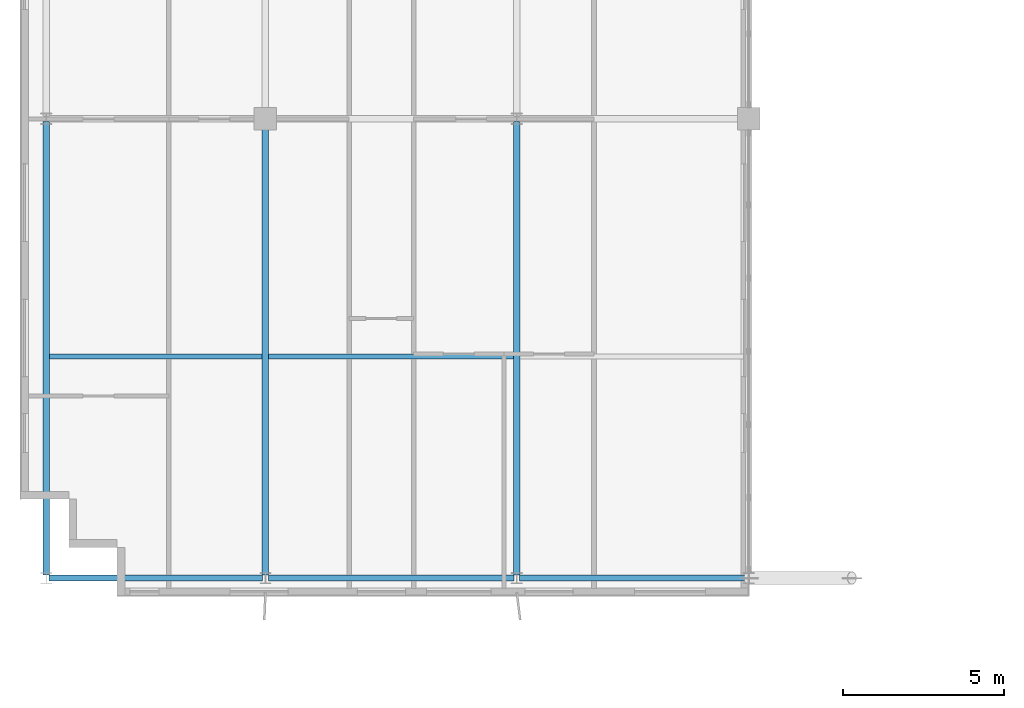
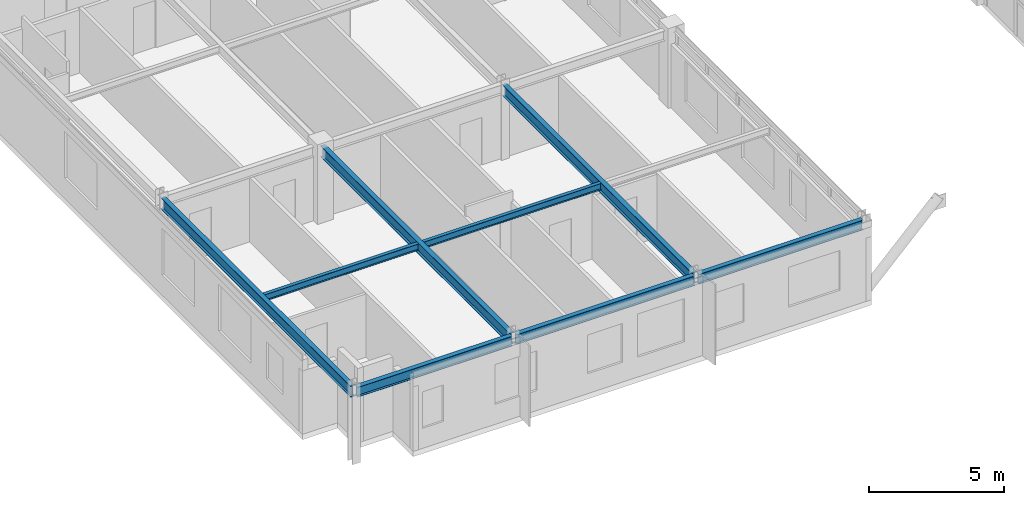
# One storey, part 5 of 34: 8 beams.
"""IFC4 building model written with IfcOpenShell, lengths in metres."""

from ifc_helpers import new_model, si_unit, direction, frame, origin, origin_2d, place, context, subcontext, project, spatial, i_section, extrude, source, transform, mapped, material, material_profile, profile_set, type_object, element, save


model = new_model("IFC4")

# Units and contexts
model_context = context("Model", 3, precision=1e-05, world=origin(), true_north=direction((0.0, 1.0)))
body_context = subcontext(model_context, "Body", "Model", "MODEL_VIEW")
ifc_project = project(units=[si_unit("LENGTHUNIT", "METRE"), si_unit("AREAUNIT", "SQUARE_METRE"), si_unit("VOLUMEUNIT", "CUBIC_METRE"), si_unit("PLANEANGLEUNIT", "RADIAN"), si_unit("MASSUNIT", "GRAM", prefix="KILO")], contexts=[model_context])

# Site, building, storey
site_placement = place(None, origin())
site = spatial("IfcSite", under=ifc_project, at=site_placement, CompositionType="ELEMENT")
building_placement = place(site_placement, origin())
building = spatial("IfcBuilding", under=site, at=building_placement, Name="Trelvane Seafront Commons", CompositionType="ELEMENT")
storey_placement = place(building_placement, frame((0.0, 0.0, 197.699951171875)))
storey = spatial("IfcBuildingStorey", under=building, at=storey_placement, Name="L51", CompositionType="ELEMENT", Elevation=197.699951171875)

# Beams
ifc_material = material(Name="Steel SM355 (S355)", Category="steel")
ifc_material_profile_1 = material_profile(ifc_material, i_section(OverallWidth=0.199951171875, OverallDepth=0.449951171875, WebThickness=0.009033203125, FlangeThickness=0.013916015625, at=origin_2d()), Name="H-450x200x9x14")
ifc_profile_set_1 = profile_set([ifc_material_profile_1], Name="Steel SM355 (S355)")
beam_type_1 = type_object("IfcBeamType", Name="STR-SPD-H450", PredefinedType="SPANDREL", material=ifc_profile_set_1)
shared_shape_1 = source(origin(), body_context, "Body", "SweptSolid", [
    extrude(i_section(OverallWidth=0.199951171875, OverallDepth=0.449951171875, WebThickness=0.009033203125, FlangeThickness=0.013916015625, at=origin_2d()), origin(), (0.0, 0.0, 1.0), 6.625),
])
beam_1_placement = place(storey_placement, frame((8.887451171875, 3.949951171875, 3.135009765625), z_axis=(1.0, 0.0, 0.0), x_axis=(0.0, 1.0, 0.0)))
element("IfcBeam", 1, at=beam_1_placement, inside=storey, type_object=beam_type_1, Name="L51 Primary Girder G-01", PredefinedType="SPANDREL", context=body_context, shape_type="MappedRepresentation", body=[
    mapped(shared_shape_1, transform((0.0, 0.0, 0.0), x_axis=(1.0, 0.0, 0.0), y_axis=(0.0, 1.0, 0.0), z_axis=(0.0, 0.0, 1.0), scale=1.0)),
])
shared_shape_2 = source(origin(), body_context, "Body", "SweptSolid", [
    extrude(i_section(OverallWidth=0.199951171875, OverallDepth=0.449951171875, WebThickness=0.009033203125, FlangeThickness=0.013916015625, at=origin_2d()), origin(), (0.0, 0.0, 1.0), 7.625),
])
beam_2_placement = place(storey_placement, frame((15.6875, 3.949951171875, 3.135009765625), z_axis=(1.0, 0.0, 0.0), x_axis=(0.0, 1.0, 0.0)))
element("IfcBeam", 2, at=beam_2_placement, inside=storey, type_object=beam_type_1, Name="L51 Primary Girder G-02", PredefinedType="SPANDREL", context=body_context, shape_type="MappedRepresentation", body=[
    mapped(shared_shape_2, transform((0.0, 0.0, 0.0), x_axis=(1.0, 0.0, 0.0), y_axis=(0.0, 1.0, 0.0), z_axis=(0.0, 0.0, 1.0), scale=1.0)),
])
shared_shape_3 = source(origin(), body_context, "Body", "SweptSolid", [
    extrude(i_section(OverallWidth=0.199951171875, OverallDepth=0.449951171875, WebThickness=0.009033203125, FlangeThickness=0.013916015625, at=origin_2d()), origin(), (0.0, 0.0, 1.0), 7.02490234375),
])
beam_3_placement = place(storey_placement, frame((23.487548828125, 3.949951171875, 3.135009765625), z_axis=(1.0, 0.0, 0.0), x_axis=(0.0, 1.0, 0.0)))
element("IfcBeam", 3, at=beam_3_placement, inside=storey, type_object=beam_type_1, Name="L51 Primary Girder G-03", PredefinedType="SPANDREL", context=body_context, shape_type="MappedRepresentation", body=[
    mapped(shared_shape_3, transform((0.0, 0.0, 0.0), x_axis=(1.0, 0.0, 0.0), y_axis=(0.0, 1.0, 0.0), z_axis=(0.0, 0.0, 1.0), scale=1.0)),
])
ifc_material_profile_2 = material_profile(ifc_material, i_section(OverallWidth=0.199951171875, OverallDepth=0.5, WebThickness=0.010009765625, FlangeThickness=0.01611328125, at=origin_2d()), Name="H-500x200x10x16")
ifc_profile_set_2 = profile_set([ifc_material_profile_2], Name="Steel SM355 (S355)")
beam_type_2 = type_object("IfcBeamType", Name="STR-BM-H500", PredefinedType="BEAM", material=ifc_profile_set_2)
shared_shape_4 = source(origin(), body_context, "Body", "SweptSolid", [
    extrude(i_section(OverallWidth=0.199951171875, OverallDepth=0.5, WebThickness=0.010009765625, FlangeThickness=0.01611328125, at=origin_2d()), origin(), (0.0, 0.0, 1.0), 14.074951171875),
])
for number, where, z_axis, x_axis, name in (
    (4, (8.800048828125, 4.03759765625, 3.110107421875), (0.0, 1.0, 0.0), (-1.0, 0.0, 0.0), "L51 Primary Girder G-29"),
    (5, (23.39990234375, 4.03759765625, 3.110107421875), (0.0, 1.0, 0.0), (-1.0, 0.0, 0.0), "L51 Primary Girder G-35"),
):
    element("IfcBeam", number, at=place(storey_placement, frame(where, z_axis=z_axis, x_axis=x_axis)), inside=storey, type_object=beam_type_2, Name=name, PredefinedType="BEAM", context=body_context, shape_type="MappedRepresentation", body=[
        mapped(shared_shape_4, transform((0.0, 0.0, 0.0), x_axis=(1.0, 0.0, 0.0), y_axis=(0.0, 1.0, 0.0), z_axis=(0.0, 0.0, 1.0), scale=1.0)),
    ])
shared_shape_5 = source(origin(), body_context, "Body", "SweptSolid", [
    extrude(i_section(OverallWidth=0.199951171875, OverallDepth=0.5, WebThickness=0.010009765625, FlangeThickness=0.01611328125, at=origin_2d()), origin(), (0.0, 0.0, 1.0), 14.012451171875),
])
beam_4_placement = place(storey_placement, frame((15.60009765625, 4.03759765625, 3.110107421875), z_axis=(0.0, 1.0, 0.0), x_axis=(-1.0, 0.0, 0.0)))
element("IfcBeam", 6, at=beam_4_placement, inside=storey, type_object=beam_type_2, Name="L51 Primary Girder G-32", PredefinedType="BEAM", context=body_context, shape_type="MappedRepresentation", body=[
    mapped(shared_shape_5, transform((0.0, 0.0, 0.0), x_axis=(1.0, 0.0, 0.0), y_axis=(0.0, 1.0, 0.0), z_axis=(0.0, 0.0, 1.0), scale=1.0)),
])
ifc_material_profile_3 = material_profile(ifc_material, i_section(OverallWidth=0.14990234375, OverallDepth=0.300048828125, WebThickness=0.006591796875, FlangeThickness=0.009033203125, at=origin_2d()), Name="H-300x150x6.5x9")
ifc_profile_set_3 = profile_set([ifc_material_profile_3], Name="Steel SM355 (S355)")
beam_type_3 = type_object("IfcBeamType", Name="STR-JST-H300", PredefinedType="JOIST", material=ifc_profile_set_3)
shared_shape_6 = source(origin(), body_context, "Body", "SweptSolid", [
    extrude(i_section(OverallWidth=0.14990234375, OverallDepth=0.300048828125, WebThickness=0.006591796875, FlangeThickness=0.009033203125, at=origin_2d()), origin(), (0.0, 0.0, 1.0), 6.60009765625),
])
beam_5_placement = place(storey_placement, frame((8.89990234375, 10.824951171875, 3.2099609375), z_axis=(1.0, 0.0, 0.0), x_axis=(0.0, 1.0, 0.0)))
element("IfcBeam", 7, at=beam_5_placement, inside=storey, type_object=beam_type_3, Name="L51 Secondary Floor Joist B-53", PredefinedType="JOIST", context=body_context, shape_type="MappedRepresentation", body=[
    mapped(shared_shape_6, transform((0.0, 0.0, 0.0), x_axis=(1.0, 0.0, 0.0), y_axis=(0.0, 1.0, 0.0), z_axis=(0.0, 0.0, 1.0), scale=1.0)),
])
shared_shape_7 = source(origin(), body_context, "Body", "SweptSolid", [
    extrude(i_section(OverallWidth=0.14990234375, OverallDepth=0.300048828125, WebThickness=0.006591796875, FlangeThickness=0.009033203125, at=origin_2d()), origin(), (0.0, 0.0, 1.0), 7.60009765625),
])
beam_6_placement = place(storey_placement, frame((15.699951171875, 10.824951171875, 3.2099609375), z_axis=(1.0, 0.0, 0.0), x_axis=(0.0, 1.0, 0.0)))
element("IfcBeam", 8, at=beam_6_placement, inside=storey, type_object=beam_type_3, Name="L51 Secondary Floor Joist B-54", PredefinedType="JOIST", context=body_context, shape_type="MappedRepresentation", body=[
    mapped(shared_shape_7, transform((0.0, 0.0, 0.0), x_axis=(1.0, 0.0, 0.0), y_axis=(0.0, 1.0, 0.0), z_axis=(0.0, 0.0, 1.0), scale=1.0)),
])

save(model, "model.ifc")
